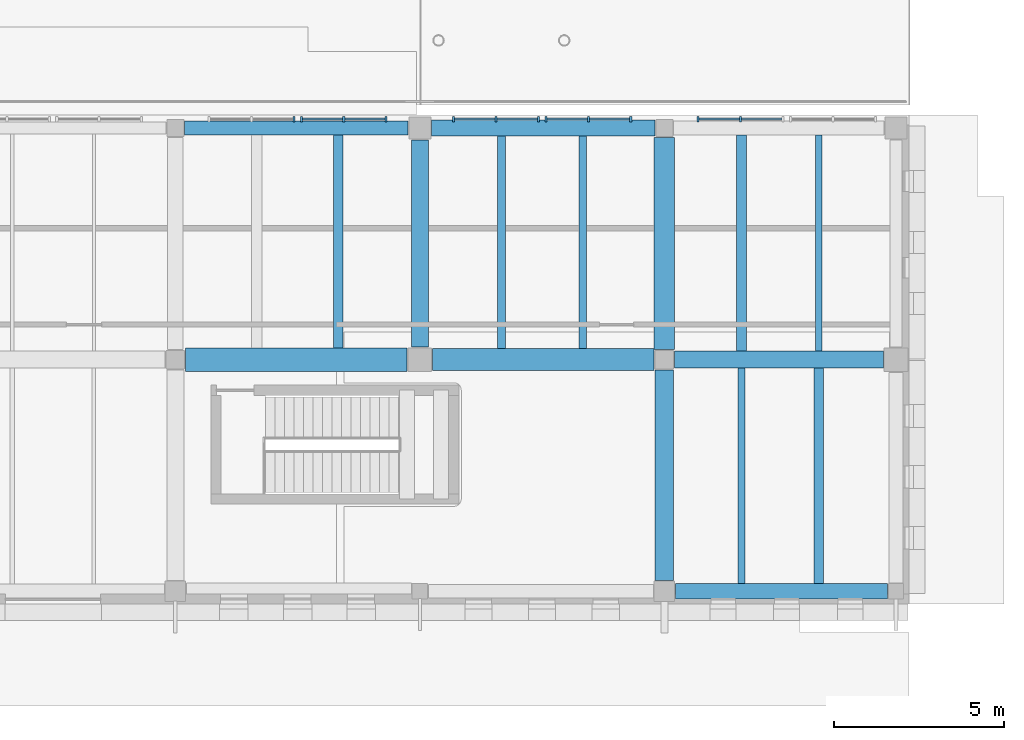
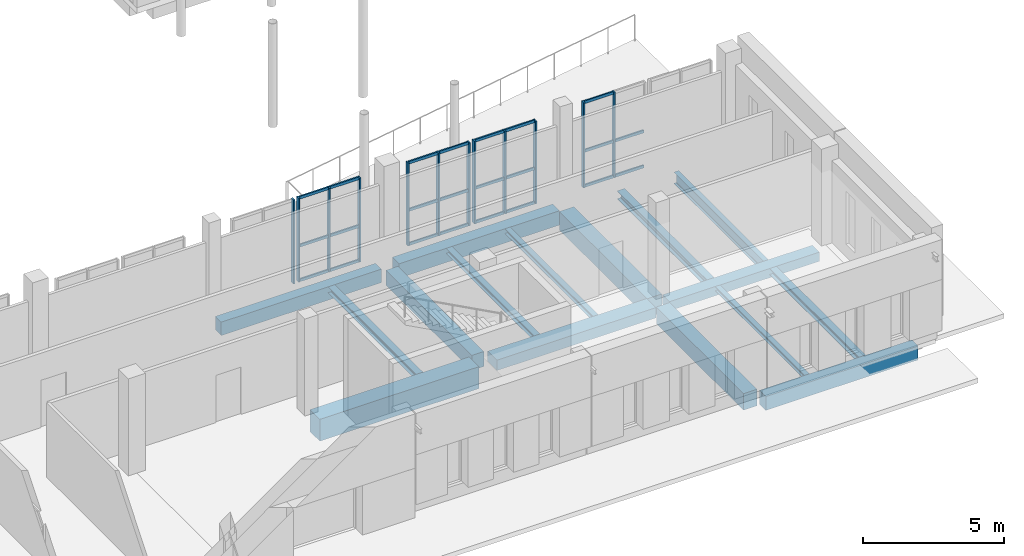
# One storey, part 29 of 77: 35 members, 16 beams, 5 elements without a shape of their own.
"""IFC4 building model written with IfcOpenShell, lengths in metres."""

from ifc_helpers import new_model, si_unit, direction, frame, origin, origin_2d, place, context, subcontext, project, spatial, rectangle, i_section, extrude, material, layer, layer_set, material_profile, profile_set, type_object, element, aggregate, save


model = new_model("IFC4")

# Units and contexts
model_context = context("Model", 3, precision=1e-05, world=origin(), true_north=direction((0.0, 1.0)))
body_context = subcontext(model_context, "Body", "Model", "MODEL_VIEW")
ifc_project = project(units=[si_unit("LENGTHUNIT", "METRE"), si_unit("AREAUNIT", "SQUARE_METRE"), si_unit("VOLUMEUNIT", "CUBIC_METRE"), si_unit("PLANEANGLEUNIT", "RADIAN"), si_unit("MASSUNIT", "GRAM", prefix="KILO")], contexts=[model_context])

# Site, building, storey
site_placement = place(None, origin())
site = spatial("IfcSite", under=ifc_project, at=site_placement, CompositionType="ELEMENT")
building_placement = place(site_placement, origin())
building = spatial("IfcBuilding", under=site, at=building_placement, Name="Vardoun Plaza Health Centre", CompositionType="ELEMENT")
storey_placement = place(building_placement, origin())
storey = spatial("IfcBuildingStorey", under=building, at=storey_placement, Name="L00", CompositionType="ELEMENT", Elevation=0.0)

# Beams
ifc_material_1 = material(Name="Concrete C35/45", Category="concrete")
ifc_material_profile_1 = material_profile(ifc_material_1, rectangle(XDim=0.419921875, YDim=0.580078125, at=origin_2d()), Name="RC-BM 420x580")
ifc_profile_set_1 = profile_set([ifc_material_profile_1], Name="Concrete C35/45")
beam_type_1 = type_object("IfcBeamType", Name="B-10", PredefinedType="SPANDREL", material=ifc_profile_set_1)
beam_1_placement = place(storey_placement, frame((143.97509765625, 18.52001953125, -0.5849609375), z_axis=(1.0, 0.0, 0.0), x_axis=(0.0, 1.0, 0.0)))
element("IfcBeam", 1, at=beam_1_placement, inside=storey, type_object=beam_type_1, Name="V5 L00 Beam B-V5-L00-X18", PredefinedType="SPANDREL", context=body_context, shape_type="SweptSolid", body=[
    extrude(rectangle(XDim=0.419921875, YDim=0.580078125, at=origin_2d()), origin(), (0.0, 0.0, 1.0), 6.574951171875),
])
ifc_material_2 = material(Name="Concrete C35/45", Category="concrete")
ifc_material_profile_2 = material_profile(ifc_material_2, rectangle(XDim=0.449951171875, YDim=0.60009765625, at=origin_2d()), Name="RC-BM 450x600")
ifc_profile_set_2 = profile_set([ifc_material_profile_2], Name="Concrete C35/45")
beam_type_2 = type_object("IfcBeamType", Name="B-11", PredefinedType="SPANDREL", material=ifc_profile_set_2)
beam_2_placement = place(storey_placement, frame((158.425048828125, 4.8798828125, -0.594970703125), z_axis=(1.0, 0.0, 0.0), x_axis=(0.0, 1.0, 0.0)))
element("IfcBeam", 2, at=beam_2_placement, inside=storey, type_object=beam_type_2, Name="V5 L00 Beam B-V5-L00-X22", PredefinedType="SPANDREL", context=body_context, shape_type="SweptSolid", body=[
    extrude(rectangle(XDim=0.449951171875, YDim=0.60009765625, at=origin_2d()), origin(), (0.0, 0.0, 1.0), 6.244873046875),
])
ifc_material_3 = material(Name="Concrete C35/45", Category="concrete")
ifc_material_profile_3 = material_profile(ifc_material_3, rectangle(XDim=0.47998046875, YDim=0.6201171875, at=origin_2d()), Name="RC-BM 480x620")
ifc_profile_set_3 = profile_set([ifc_material_profile_3], Name="Concrete C35/45")
beam_type_3 = type_object("IfcBeamType", Name="B-12", PredefinedType="SPANDREL", material=ifc_profile_set_3)
beam_3_placement = place(storey_placement, frame((151.25, 18.52001953125, -0.60498046875), z_axis=(1.0, 0.0, 0.0), x_axis=(0.0, 1.0, 0.0)))
element("IfcBeam", 3, at=beam_3_placement, inside=storey, type_object=beam_type_3, Name="V5 L00 Beam B-V5-L00-X21", PredefinedType="SPANDREL", context=body_context, shape_type="SweptSolid", body=[
    extrude(rectangle(XDim=0.47998046875, YDim=0.6201171875, at=origin_2d()), origin(), (0.0, 0.0, 1.0), 6.574951171875),
])
ifc_material_4 = material(Name="Concrete C35/45", Category="concrete")
ifc_material_profile_4 = material_profile(ifc_material_4, rectangle(XDim=0.5, YDim=0.39990234375, at=origin_2d()), Name="RC-BM 500x400")
ifc_profile_set_4 = profile_set([ifc_material_profile_4], Name="Concrete C35/45")
beam_type_4 = type_object("IfcBeamType", Name="B-02", PredefinedType="BEAM", material=ifc_profile_set_4)
beam_4_placement = place(storey_placement, frame((158.39990234375, 11.699951171875, -0.4951171875), z_axis=(1.0, 0.0, 0.0), x_axis=(0.0, 1.0, 0.0)))
element("IfcBeam", 4, at=beam_4_placement, inside=storey, type_object=beam_type_4, Name="V5 L00 Beam B-V5-L00-X23", PredefinedType="BEAM", context=body_context, shape_type="SweptSolid", body=[
    extrude(rectangle(XDim=0.5, YDim=0.39990234375, at=origin_2d()), origin(), (0.0, 0.0, 1.0), 6.14501953125),
])
ifc_material_5 = material(Name="Concrete C40/50", Category="concrete")
ifc_material_profile_5 = material_profile(ifc_material_5, rectangle(XDim=0.5, YDim=0.64990234375, at=origin_2d()), Name="RC-BM 500x650")
ifc_profile_set_5 = profile_set([ifc_material_profile_5], Name="Concrete C40/50")
beam_type_5 = type_object("IfcBeamType", Name="B-13", PredefinedType="BEAM", material=ifc_profile_set_5)
beam_5_placement = place(storey_placement, frame((150.89990234375, 12.074951171875, -0.6201171875), z_axis=(0.0, 1.0, 0.0), x_axis=(-1.0, 0.0, 0.0)))
element("IfcBeam", 5, at=beam_5_placement, inside=storey, type_object=beam_type_5, Name="V5 L00 Beam B-V5-L00-Y36", PredefinedType="BEAM", context=body_context, shape_type="SweptSolid", body=[
    extrude(rectangle(XDim=0.5, YDim=0.64990234375, at=origin_2d()), origin(), (0.0, 0.0, 1.0), 6.094970703125),
])
ifc_material_6 = material(Name="Concrete C40/50", Category="concrete")
ifc_material_profile_6 = material_profile(ifc_material_6, rectangle(XDim=0.550048828125, YDim=0.719970703125, at=origin_2d()), Name="RC-BM 550x720")
ifc_profile_set_6 = profile_set([ifc_material_profile_6], Name="Concrete C40/50")
beam_type_6 = type_object("IfcBeamType", Name="B-14", PredefinedType="BEAM", material=ifc_profile_set_6)
beam_6_placement = place(storey_placement, frame((158.10009765625, 5.205078125, -0.655029296875), z_axis=(0.0, 1.0, 0.0), x_axis=(-1.0, 0.0, 0.0)))
element("IfcBeam", 6, at=beam_6_placement, inside=storey, type_object=beam_type_6, Name="V5 L00 Beam B-V5-L00-Y37", PredefinedType="BEAM", context=body_context, shape_type="SweptSolid", body=[
    extrude(rectangle(XDim=0.550048828125, YDim=0.719970703125, at=origin_2d()), origin(), (0.0, 0.0, 1.0), 6.19482421875),
])
ifc_material_7 = material(Name="Concrete C40/50", Category="concrete")
ifc_material_profile_7 = material_profile(ifc_material_7, rectangle(XDim=0.60009765625, YDim=0.800048828125, at=origin_2d()), Name="RC-BM 600x800")
ifc_profile_set_7 = profile_set([ifc_material_profile_7], Name="Concrete C40/50")
beam_type_7 = type_object("IfcBeamType", Name="B-15", PredefinedType="JOIST", material=ifc_profile_set_7)
beam_7_placement = place(storey_placement, frame((158.10009765625, 12.0, -0.695068359375), z_axis=(0.0, 1.0, 0.0), x_axis=(-1.0, 0.0, 0.0)))
element("IfcBeam", 7, at=beam_7_placement, inside=storey, type_object=beam_type_7, Name="V5 L00 Beam B-V5-L00-Y38", PredefinedType="JOIST", context=body_context, shape_type="SweptSolid", body=[
    extrude(rectangle(XDim=0.60009765625, YDim=0.800048828125, at=origin_2d()), origin(), (0.0, 0.0, 1.0), 6.2451171875),
])
ifc_material_8 = material(Name="Concrete C35/45", Category="concrete")
ifc_material_profile_8 = material_profile(ifc_material_8, rectangle(XDim=0.64990234375, YDim=0.449951171875, at=origin_2d()), Name="RC-BM 650x450")
ifc_profile_set_8 = profile_set([ifc_material_profile_8], Name="Concrete C35/45")
beam_type_8 = type_object("IfcBeamType", Name="B-05", PredefinedType="BEAM", material=ifc_profile_set_8)
beam_8_placement = place(storey_placement, frame((151.27490234375, 11.699951171875, -0.52001953125), z_axis=(1.0, 0.0, 0.0), x_axis=(0.0, 1.0, 0.0)))
element("IfcBeam", 8, at=beam_8_placement, inside=storey, type_object=beam_type_8, Name="V5 L00 Beam B-V5-L00-X20", PredefinedType="BEAM", context=body_context, shape_type="SweptSolid", body=[
    extrude(rectangle(XDim=0.64990234375, YDim=0.449951171875, at=origin_2d()), origin(), (0.0, 0.0, 1.0), 6.525146484375),
])
ifc_material_9 = material(Name="Concrete C40/50", Category="concrete")
ifc_material_profile_9 = material_profile(ifc_material_9, rectangle(XDim=0.699951171875, YDim=0.949951171875, at=origin_2d()), Name="RC-BM 700x950")
ifc_profile_set_9 = profile_set([ifc_material_profile_9], Name="Concrete C40/50")
beam_type_9 = type_object("IfcBeamType", Name="B-16", PredefinedType="LINTEL", material=ifc_profile_set_9)
beam_9_placement = place(storey_placement, frame((144.0, 11.699951171875, -0.77001953125), z_axis=(1.0, 0.0, 0.0), x_axis=(0.0, 1.0, 0.0)))
element("IfcBeam", 9, at=beam_9_placement, inside=storey, type_object=beam_type_9, Name="V5 L00 Beam B-V5-L00-X17", PredefinedType="LINTEL", context=body_context, shape_type="SweptSolid", body=[
    extrude(rectangle(XDim=0.699951171875, YDim=0.949951171875, at=origin_2d()), origin(), (0.0, 0.0, 1.0), 6.52490234375),
])
ifc_material_10 = material(Name="Steel S355J2", Category="steel")
ifc_material_profile_10 = material_profile(ifc_material_10, i_section(OverallWidth=0.199951171875, OverallDepth=0.18994140625, WebThickness=0.006591796875, FlangeThickness=0.010009765625, FilletRadius=0.01806640625, at=origin_2d()), Name="HEA 200")
ifc_profile_set_10 = profile_set([ifc_material_profile_10], Name="Steel S355J2")
beam_type_10 = type_object("IfcBeamType", Name="SB-09", PredefinedType="BEAM", material=ifc_profile_set_10)
beam_10_placement = place(storey_placement, frame((160.373046875, 5.10498046875, -0.389892578125), z_axis=(0.0, 1.0, 0.0), x_axis=(-1.0, 0.0, 0.0)))
element("IfcBeam", 10, at=beam_10_placement, inside=storey, type_object=beam_type_10, Name="V5 L00 Secondary Floor Beam SJ-V5-L00-21", PredefinedType="BEAM", context=body_context, shape_type="SweptSolid", body=[
    extrude(i_section(OverallWidth=0.199951171875, OverallDepth=0.18994140625, WebThickness=0.006591796875, FlangeThickness=0.010009765625, FilletRadius=0.01806640625, at=origin_2d()), origin(), (0.0, 0.0, 1.0), 6.344970703125),
])
ifc_material_11 = material(Name="Steel S355J2", Category="steel")
ifc_material_profile_11 = material_profile(ifc_material_11, i_section(OverallWidth=0.219970703125, OverallDepth=0.2099609375, WebThickness=0.007080078125, FlangeThickness=0.010986328125, FilletRadius=0.01806640625, at=origin_2d()), Name="HEA 220")
ifc_profile_set_11 = profile_set([ifc_material_profile_11], Name="Steel S355J2")
beam_type_11 = type_object("IfcBeamType", Name="SB-08", PredefinedType="BEAM", material=ifc_profile_set_11)
beam_11_placement = place(storey_placement, frame((155.7001953125, 12.02490234375, -0.39990234375), z_axis=(0.0, 1.0, 0.0), x_axis=(-1.0, 0.0, 0.0)))
element("IfcBeam", 11, at=beam_11_placement, inside=storey, type_object=beam_type_11, Name="V5 L00 Secondary Floor Beam SJ-V5-L00-20", PredefinedType="BEAM", context=body_context, shape_type="SweptSolid", body=[
    extrude(i_section(OverallWidth=0.219970703125, OverallDepth=0.2099609375, WebThickness=0.007080078125, FlangeThickness=0.010986328125, FilletRadius=0.01806640625, at=origin_2d()), origin(), (0.0, 0.0, 1.0), 6.255126953125),
])
ifc_material_12 = material(Name="Steel S355J2", Category="steel")
ifc_material_profile_12 = material_profile(ifc_material_12, i_section(OverallWidth=0.239990234375, OverallDepth=0.22998046875, WebThickness=0.007568359375, FlangeThickness=0.011962890625, FilletRadius=0.02099609375, at=origin_2d()), Name="HEA 240")
ifc_profile_set_12 = profile_set([ifc_material_profile_12], Name="Steel S355J2")
beam_type_12 = type_object("IfcBeamType", Name="SB-07", PredefinedType="BEAM", material=ifc_profile_set_12)
beam_12_placement = place(storey_placement, frame((153.2998046875, 12.02490234375, -0.409912109375), z_axis=(0.0, 1.0, 0.0), x_axis=(-1.0, 0.0, 0.0)))
element("IfcBeam", 12, at=beam_12_placement, inside=storey, type_object=beam_type_12, Name="V5 L00 Secondary Floor Beam SJ-V5-L00-19", PredefinedType="BEAM", context=body_context, shape_type="SweptSolid", body=[
    extrude(i_section(OverallWidth=0.239990234375, OverallDepth=0.22998046875, WebThickness=0.007568359375, FlangeThickness=0.011962890625, FilletRadius=0.02099609375, at=origin_2d()), origin(), (0.0, 0.0, 1.0), 6.255126953125),
])
ifc_material_13 = material(Name="Steel S355J2", Category="steel")
ifc_material_profile_13 = material_profile(ifc_material_13, i_section(OverallWidth=0.280029296875, OverallDepth=0.27001953125, WebThickness=0.008056640625, FlangeThickness=0.012939453125, FilletRadius=0.02392578125, at=origin_2d()), Name="HEA 280")
ifc_profile_set_13 = profile_set([ifc_material_profile_13], Name="Steel S355J2")
beam_type_13 = type_object("IfcBeamType", Name="SB-06", PredefinedType="BEAM", material=ifc_profile_set_13)
beam_13_placement = place(storey_placement, frame((148.500244140625, 12.050048828125, -0.429931640625), z_axis=(0.0, 1.0, 0.0), x_axis=(-1.0, 0.0, 0.0)))
element("IfcBeam", 13, at=beam_13_placement, inside=storey, type_object=beam_type_13, Name="V5 L00 Secondary Floor Beam SJ-V5-L00-18", PredefinedType="BEAM", context=body_context, shape_type="SweptSolid", body=[
    extrude(i_section(OverallWidth=0.280029296875, OverallDepth=0.27001953125, WebThickness=0.008056640625, FlangeThickness=0.012939453125, FilletRadius=0.02392578125, at=origin_2d()), origin(), (0.0, 0.0, 1.0), 6.260009765625),
])
ifc_material_14 = material(Name="Steel S355J2", Category="steel")
ifc_material_profile_14 = material_profile(ifc_material_14, i_section(OverallWidth=0.280029296875, OverallDepth=0.280029296875, WebThickness=0.010498046875, FlangeThickness=0.01806640625, FilletRadius=0.02392578125, at=origin_2d()), Name="HEB 280")
ifc_profile_set_14 = profile_set([ifc_material_profile_14], Name="Steel S355J2")
beam_type_14 = type_object("IfcBeamType", Name="SB-02", PredefinedType="BEAM", material=ifc_profile_set_14)
beam_14_placement = place(storey_placement, frame((162.64697265625, 5.10498046875, -0.43505859375), z_axis=(0.0, 1.0, 0.0), x_axis=(-1.0, 0.0, 0.0)))
element("IfcBeam", 14, at=beam_14_placement, inside=storey, type_object=beam_type_14, Name="V5 L00 Secondary Floor Beam SJ-V5-L00-23", PredefinedType="BEAM", context=body_context, shape_type="SweptSolid", body=[
    extrude(i_section(OverallWidth=0.280029296875, OverallDepth=0.280029296875, WebThickness=0.010498046875, FlangeThickness=0.01806640625, FilletRadius=0.02392578125, at=origin_2d()), origin(), (0.0, 0.0, 1.0), 6.344970703125),
])
ifc_material_15 = material(Name="Steel S355J2", Category="steel")
ifc_material_profile_15 = material_profile(ifc_material_15, i_section(OverallWidth=0.300048828125, OverallDepth=0.360107421875, WebThickness=0.012451171875, FlangeThickness=0.0224609375, FilletRadius=0.027099609375, at=origin_2d()), Name="HEB 360")
ifc_profile_set_15 = profile_set([ifc_material_profile_15], Name="Steel S355J2")
beam_type_15 = type_object("IfcBeamType", Name="RB-04", PredefinedType="BEAM", material=ifc_profile_set_15)
beam_15_placement = place(storey_placement, frame((160.373046875, 11.949951171875, -0.47509765625), z_axis=(0.0, 1.0, 0.0), x_axis=(-1.0, 0.0, 0.0)))
element("IfcBeam", 15, at=beam_15_placement, inside=storey, type_object=beam_type_15, Name="V5 L00 Secondary Floor Beam SJ-V5-L00-22", PredefinedType="BEAM", context=body_context, shape_type="SweptSolid", body=[
    extrude(i_section(OverallWidth=0.300048828125, OverallDepth=0.360107421875, WebThickness=0.012451171875, FlangeThickness=0.0224609375, FilletRadius=0.027099609375, at=origin_2d()), origin(), (0.0, 0.0, 1.0), 6.3701171875),
])
ifc_material_16 = material(Name="Steel S355J2", Category="steel")
ifc_material_profile_16 = material_profile(ifc_material_16, i_section(OverallWidth=0.199951171875, OverallDepth=0.5, WebThickness=0.01025390625, FlangeThickness=0.01611328125, FilletRadius=0.02099609375, at=origin_2d()), Name="IPE 500")
ifc_profile_set_16 = profile_set([ifc_material_profile_16], Name="Steel S355J2")
beam_type_16 = type_object("IfcBeamType", Name="SB-10", PredefinedType="BEAM", material=ifc_profile_set_16)
beam_16_placement = place(storey_placement, frame((162.64697265625, 11.949951171875, -0.544921875), z_axis=(0.0, 1.0, 0.0), x_axis=(-1.0, 0.0, 0.0)))
element("IfcBeam", 16, at=beam_16_placement, inside=storey, type_object=beam_type_16, Name="V5 L00 Secondary Floor Beam SJ-V5-L00-24", PredefinedType="BEAM", context=body_context, shape_type="SweptSolid", body=[
    extrude(i_section(OverallWidth=0.199951171875, OverallDepth=0.5, WebThickness=0.01025390625, FlangeThickness=0.01611328125, FilletRadius=0.02099609375, at=origin_2d()), origin(), (0.0, 0.0, 1.0), 6.3701171875),
])

# Curtain wall, member
ifc_material_17 = material(Name="Aluminium Alloy EN AW-6063-T6 and Low-E Glass", Category="aluminium")
ifc_layer = layer(ifc_material_17, 0.14990234375)
ifc_layer_set = layer_set([ifc_layer], Name="Aluminium Alloy EN AW-6063-T6 and Low-E Glass")
curtain_wall_type = type_object("IfcCurtainWallType", Name="CW-03", PredefinedType="NOTDEFINED", material=ifc_layer_set)
curtain_wall_1_placement = place(storey_placement, origin())
curtain_wall_1 = element("IfcCurtainWall", 17, at=curtain_wall_1_placement, inside=storey, type_object=curtain_wall_type, Name="Curtain Wall CW-V5-143", PredefinedType="NOTDEFINED")
ifc_material_18 = material(Name="Aluminium Alloy EN AW-6063-T6", Category="aluminium")
ifc_material_profile_17 = material_profile(ifc_material_18, rectangle(XDim=0.159912109375, YDim=0.06005859375, at=origin_2d()), Name="CWM 60x160")
ifc_profile_set_17 = profile_set([ifc_material_profile_17], Name="Aluminium Alloy EN AW-6063-T6")
member_type_1 = type_object("IfcMemberType", Name="CW-M1", PredefinedType="MULLION", material=ifc_profile_set_17)
member_1_placement = place(storey_placement, frame((147.190185546875, 18.780029296875, 0.0), z_axis=(0.0, 0.0, 1.0), x_axis=(0.0, 1.0, 0.0)))
member_1 = element("IfcMember", 18, at=member_1_placement, type_object=member_type_1, Name="CW-V5-143 mullion 3", PredefinedType="MULLION", context=body_context, shape_type="SweptSolid", body=[
    extrude(rectangle(XDim=0.159912109375, YDim=0.06005859375, at=origin_2d()), origin(), (0.0, 0.0, 1.0), 3.639892578125),
])
aggregate(curtain_wall_1, [member_1])

# Curtain wall, members
curtain_wall_2_placement = place(storey_placement, origin())
curtain_wall_2 = element("IfcCurtainWall", 19, at=curtain_wall_2_placement, inside=storey, type_object=curtain_wall_type, Name="Curtain Wall CW-V5-144", PredefinedType="NOTDEFINED")
member_2_placement = place(storey_placement, frame((147.409912109375, 18.780029296875, 0.0), z_axis=(0.0, 0.0, 1.0), x_axis=(0.0, 1.0, 0.0)))
member_2 = element("IfcMember", 20, at=member_2_placement, type_object=member_type_1, Name="CW-V5-144 mullion 1", PredefinedType="MULLION", context=body_context, shape_type="SweptSolid", body=[
    extrude(rectangle(XDim=0.159912109375, YDim=0.06005859375, at=origin_2d()), origin(), (0.0, 0.0, 1.0), 3.639892578125),
])
member_3_placement = place(storey_placement, frame((148.659912109375, 18.780029296875, 0.0), z_axis=(0.0, 0.0, 1.0), x_axis=(0.0, 1.0, 0.0)))
member_3 = element("IfcMember", 21, at=member_3_placement, type_object=member_type_1, Name="CW-V5-144 mullion 2", PredefinedType="MULLION", context=body_context, shape_type="SweptSolid", body=[
    extrude(rectangle(XDim=0.159912109375, YDim=0.06005859375, at=origin_2d()), origin(), (0.0, 0.0, 1.0), 3.639892578125),
])
member_4_placement = place(storey_placement, frame((149.909912109375, 18.780029296875, 0.0), z_axis=(0.0, 0.0, 1.0), x_axis=(0.0, 1.0, 0.0)))
member_4 = element("IfcMember", 22, at=member_4_placement, type_object=member_type_1, Name="CW-V5-144 mullion 3", PredefinedType="MULLION", context=body_context, shape_type="SweptSolid", body=[
    extrude(rectangle(XDim=0.159912109375, YDim=0.06005859375, at=origin_2d()), origin(), (0.0, 0.0, 1.0), 3.639892578125),
])

curtain_wall_3_placement = place(storey_placement, origin())
curtain_wall_3 = element("IfcCurtainWall", 23, at=curtain_wall_3_placement, inside=storey, type_object=curtain_wall_type, Name="Curtain Wall CW-V5-145", PredefinedType="NOTDEFINED")
member_5_placement = place(storey_placement, frame((151.889892578125, 18.780029296875, 0.0), z_axis=(0.0, 0.0, 1.0), x_axis=(0.0, 1.0, 0.0)))
member_5 = element("IfcMember", 24, at=member_5_placement, type_object=member_type_1, Name="CW-V5-145 mullion 1", PredefinedType="MULLION", context=body_context, shape_type="SweptSolid", body=[
    extrude(rectangle(XDim=0.159912109375, YDim=0.06005859375, at=origin_2d()), origin(), (0.0, 0.0, 1.0), 3.590087890625),
])
member_6_placement = place(storey_placement, frame((153.139892578125, 18.780029296875, 0.0), z_axis=(0.0, 0.0, 1.0), x_axis=(0.0, 1.0, 0.0)))
member_6 = element("IfcMember", 25, at=member_6_placement, type_object=member_type_1, Name="CW-V5-145 mullion 2", PredefinedType="MULLION", context=body_context, shape_type="SweptSolid", body=[
    extrude(rectangle(XDim=0.159912109375, YDim=0.06005859375, at=origin_2d()), origin(), (0.0, 0.0, 1.0), 3.590087890625),
])
member_7_placement = place(storey_placement, frame((154.389892578125, 18.780029296875, 0.0), z_axis=(0.0, 0.0, 1.0), x_axis=(0.0, 1.0, 0.0)))
member_7 = element("IfcMember", 26, at=member_7_placement, type_object=member_type_1, Name="CW-V5-145 mullion 3", PredefinedType="MULLION", context=body_context, shape_type="SweptSolid", body=[
    extrude(rectangle(XDim=0.159912109375, YDim=0.06005859375, at=origin_2d()), origin(), (0.0, 0.0, 1.0), 3.590087890625),
])

curtain_wall_4_placement = place(storey_placement, origin())
curtain_wall_4 = element("IfcCurtainWall", 27, at=curtain_wall_4_placement, inside=storey, type_object=curtain_wall_type, Name="Curtain Wall CW-V5-146", PredefinedType="NOTDEFINED")
member_8_placement = place(storey_placement, frame((154.610107421875, 18.780029296875, 0.0), z_axis=(0.0, 0.0, 1.0), x_axis=(0.0, 1.0, 0.0)))
member_8 = element("IfcMember", 28, at=member_8_placement, type_object=member_type_1, Name="CW-V5-146 mullion 1", PredefinedType="MULLION", context=body_context, shape_type="SweptSolid", body=[
    extrude(rectangle(XDim=0.159912109375, YDim=0.06005859375, at=origin_2d()), origin(), (0.0, 0.0, 1.0), 3.590087890625),
])
member_9_placement = place(storey_placement, frame((155.860107421875, 18.780029296875, 0.0), z_axis=(0.0, 0.0, 1.0), x_axis=(0.0, 1.0, 0.0)))
member_9 = element("IfcMember", 29, at=member_9_placement, type_object=member_type_1, Name="CW-V5-146 mullion 2", PredefinedType="MULLION", context=body_context, shape_type="SweptSolid", body=[
    extrude(rectangle(XDim=0.159912109375, YDim=0.06005859375, at=origin_2d()), origin(), (0.0, 0.0, 1.0), 3.590087890625),
])
member_10_placement = place(storey_placement, frame((157.110107421875, 18.780029296875, 0.0), z_axis=(0.0, 0.0, 1.0), x_axis=(0.0, 1.0, 0.0)))
member_10 = element("IfcMember", 30, at=member_10_placement, type_object=member_type_1, Name="CW-V5-146 mullion 3", PredefinedType="MULLION", context=body_context, shape_type="SweptSolid", body=[
    extrude(rectangle(XDim=0.159912109375, YDim=0.06005859375, at=origin_2d()), origin(), (0.0, 0.0, 1.0), 3.590087890625),
])

curtain_wall_5_placement = place(storey_placement, origin())
curtain_wall_5 = element("IfcCurtainWall", 31, at=curtain_wall_5_placement, inside=storey, type_object=curtain_wall_type, Name="Curtain Wall CW-V5-147", PredefinedType="NOTDEFINED")
member_11_placement = place(storey_placement, frame((159.090087890625, 18.780029296875, 0.0), z_axis=(0.0, 0.0, 1.0), x_axis=(0.0, 1.0, 0.0)))
member_11 = element("IfcMember", 32, at=member_11_placement, type_object=member_type_1, Name="CW-V5-147 mullion 1", PredefinedType="MULLION", context=body_context, shape_type="SweptSolid", body=[
    extrude(rectangle(XDim=0.159912109375, YDim=0.06005859375, at=origin_2d()), origin(), (0.0, 0.0, 1.0), 3.68994140625),
])
member_12_placement = place(storey_placement, frame((160.340087890625, 18.780029296875, 0.0), z_axis=(0.0, 0.0, 1.0), x_axis=(0.0, 1.0, 0.0)))
member_12 = element("IfcMember", 33, at=member_12_placement, type_object=member_type_1, Name="CW-V5-147 mullion 2", PredefinedType="MULLION", context=body_context, shape_type="SweptSolid", body=[
    extrude(rectangle(XDim=0.159912109375, YDim=0.06005859375, at=origin_2d()), origin(), (0.0, 0.0, 1.0), 3.68994140625),
])

# Member
ifc_material_19 = material(Name="Aluminium Alloy EN AW-6063-T6", Category="aluminium")
ifc_material_profile_18 = material_profile(ifc_material_19, rectangle(XDim=0.06005859375, YDim=0.1201171875, at=origin_2d()), Name="CWT 60x120")
ifc_profile_set_18 = profile_set([ifc_material_profile_18], Name="Aluminium Alloy EN AW-6063-T6")
member_type_2 = type_object("IfcMemberType", Name="CW-T1", PredefinedType="USERDEFINED", material=ifc_profile_set_18)
member_13_placement = place(storey_placement, frame((147.440185546875, 18.780029296875, 0.030029296875), z_axis=(1.0, 0.0, 0.0), x_axis=(0.0, 1.0, 0.0)))
member_13 = element("IfcMember", 34, at=member_13_placement, type_object=member_type_2, Name="CW-V5-144 transom 1.1", ObjectType="TRANSOM", PredefinedType="USERDEFINED", context=body_context, shape_type="SweptSolid", body=[
    extrude(rectangle(XDim=0.06005859375, YDim=0.1201171875, at=origin_2d()), origin(), (0.0, 0.0, 1.0), 1.189697265625),
])

member_14_placement = place(storey_placement, frame((147.440185546875, 18.780029296875, 1.52880859375), z_axis=(1.0, 0.0, 0.0), x_axis=(0.0, 1.0, 0.0)))
member_14 = element("IfcMember", 35, at=member_14_placement, type_object=member_type_2, Name="CW-V5-144 transom 1.2", ObjectType="TRANSOM", PredefinedType="USERDEFINED", context=body_context, shape_type="SweptSolid", body=[
    extrude(rectangle(XDim=0.06005859375, YDim=0.1201171875, at=origin_2d()), origin(), (0.0, 0.0, 1.0), 1.189697265625),
])

member_15_placement = place(storey_placement, frame((147.440185546875, 18.780029296875, 3.610107421875), z_axis=(1.0, 0.0, 0.0), x_axis=(0.0, 1.0, 0.0)))
member_15 = element("IfcMember", 36, at=member_15_placement, type_object=member_type_2, Name="CW-V5-144 transom 1.3", ObjectType="TRANSOM", PredefinedType="USERDEFINED", context=body_context, shape_type="SweptSolid", body=[
    extrude(rectangle(XDim=0.06005859375, YDim=0.1201171875, at=origin_2d()), origin(), (0.0, 0.0, 1.0), 1.189697265625),
])

member_16_placement = place(storey_placement, frame((148.690185546875, 18.780029296875, 0.030029296875), z_axis=(1.0, 0.0, 0.0), x_axis=(0.0, 1.0, 0.0)))
member_16 = element("IfcMember", 37, at=member_16_placement, type_object=member_type_2, Name="CW-V5-144 transom 2.1", ObjectType="TRANSOM", PredefinedType="USERDEFINED", context=body_context, shape_type="SweptSolid", body=[
    extrude(rectangle(XDim=0.06005859375, YDim=0.1201171875, at=origin_2d()), origin(), (0.0, 0.0, 1.0), 1.189697265625),
])

member_17_placement = place(storey_placement, frame((148.690185546875, 18.780029296875, 1.52880859375), z_axis=(1.0, 0.0, 0.0), x_axis=(0.0, 1.0, 0.0)))
member_17 = element("IfcMember", 38, at=member_17_placement, type_object=member_type_2, Name="CW-V5-144 transom 2.2", ObjectType="TRANSOM", PredefinedType="USERDEFINED", context=body_context, shape_type="SweptSolid", body=[
    extrude(rectangle(XDim=0.06005859375, YDim=0.1201171875, at=origin_2d()), origin(), (0.0, 0.0, 1.0), 1.189697265625),
])

member_18_placement = place(storey_placement, frame((148.690185546875, 18.780029296875, 3.610107421875), z_axis=(1.0, 0.0, 0.0), x_axis=(0.0, 1.0, 0.0)))
member_18 = element("IfcMember", 39, at=member_18_placement, type_object=member_type_2, Name="CW-V5-144 transom 2.3", ObjectType="TRANSOM", PredefinedType="USERDEFINED", context=body_context, shape_type="SweptSolid", body=[
    extrude(rectangle(XDim=0.06005859375, YDim=0.1201171875, at=origin_2d()), origin(), (0.0, 0.0, 1.0), 1.189697265625),
])

aggregate(curtain_wall_2, [member_2, member_3, member_4, member_13, member_14, member_15, member_16, member_17, member_18])

member_19_placement = place(storey_placement, frame((151.919921875, 18.780029296875, 0.030029296875), z_axis=(1.0, 0.0, 0.0), x_axis=(0.0, 1.0, 0.0)))
member_19 = element("IfcMember", 40, at=member_19_placement, type_object=member_type_2, Name="CW-V5-145 transom 1.1", ObjectType="TRANSOM", PredefinedType="USERDEFINED", context=body_context, shape_type="SweptSolid", body=[
    extrude(rectangle(XDim=0.06005859375, YDim=0.1201171875, at=origin_2d()), origin(), (0.0, 0.0, 1.0), 1.190185546875),
])

member_20_placement = place(storey_placement, frame((151.919921875, 18.780029296875, 1.5078125), z_axis=(1.0, 0.0, 0.0), x_axis=(0.0, 1.0, 0.0)))
member_20 = element("IfcMember", 41, at=member_20_placement, type_object=member_type_2, Name="CW-V5-145 transom 1.2", ObjectType="TRANSOM", PredefinedType="USERDEFINED", context=body_context, shape_type="SweptSolid", body=[
    extrude(rectangle(XDim=0.06005859375, YDim=0.1201171875, at=origin_2d()), origin(), (0.0, 0.0, 1.0), 1.190185546875),
])

member_21_placement = place(storey_placement, frame((151.919921875, 18.780029296875, 3.56005859375), z_axis=(1.0, 0.0, 0.0), x_axis=(0.0, 1.0, 0.0)))
member_21 = element("IfcMember", 42, at=member_21_placement, type_object=member_type_2, Name="CW-V5-145 transom 1.3", ObjectType="TRANSOM", PredefinedType="USERDEFINED", context=body_context, shape_type="SweptSolid", body=[
    extrude(rectangle(XDim=0.06005859375, YDim=0.1201171875, at=origin_2d()), origin(), (0.0, 0.0, 1.0), 1.190185546875),
])

member_22_placement = place(storey_placement, frame((153.169921875, 18.780029296875, 0.030029296875), z_axis=(1.0, 0.0, 0.0), x_axis=(0.0, 1.0, 0.0)))
member_22 = element("IfcMember", 43, at=member_22_placement, type_object=member_type_2, Name="CW-V5-145 transom 2.1", ObjectType="TRANSOM", PredefinedType="USERDEFINED", context=body_context, shape_type="SweptSolid", body=[
    extrude(rectangle(XDim=0.06005859375, YDim=0.1201171875, at=origin_2d()), origin(), (0.0, 0.0, 1.0), 1.190185546875),
])

member_23_placement = place(storey_placement, frame((153.169921875, 18.780029296875, 1.5078125), z_axis=(1.0, 0.0, 0.0), x_axis=(0.0, 1.0, 0.0)))
member_23 = element("IfcMember", 44, at=member_23_placement, type_object=member_type_2, Name="CW-V5-145 transom 2.2", ObjectType="TRANSOM", PredefinedType="USERDEFINED", context=body_context, shape_type="SweptSolid", body=[
    extrude(rectangle(XDim=0.06005859375, YDim=0.1201171875, at=origin_2d()), origin(), (0.0, 0.0, 1.0), 1.190185546875),
])

member_24_placement = place(storey_placement, frame((153.169921875, 18.780029296875, 3.56005859375), z_axis=(1.0, 0.0, 0.0), x_axis=(0.0, 1.0, 0.0)))
member_24 = element("IfcMember", 45, at=member_24_placement, type_object=member_type_2, Name="CW-V5-145 transom 2.3", ObjectType="TRANSOM", PredefinedType="USERDEFINED", context=body_context, shape_type="SweptSolid", body=[
    extrude(rectangle(XDim=0.06005859375, YDim=0.1201171875, at=origin_2d()), origin(), (0.0, 0.0, 1.0), 1.190185546875),
])

aggregate(curtain_wall_3, [member_5, member_6, member_7, member_19, member_20, member_21, member_22, member_23, member_24])

member_25_placement = place(storey_placement, frame((154.639892578125, 18.780029296875, 0.030029296875), z_axis=(1.0, 0.0, 0.0), x_axis=(0.0, 1.0, 0.0)))
member_25 = element("IfcMember", 46, at=member_25_placement, type_object=member_type_2, Name="CW-V5-146 transom 1.1", ObjectType="TRANSOM", PredefinedType="USERDEFINED", context=body_context, shape_type="SweptSolid", body=[
    extrude(rectangle(XDim=0.06005859375, YDim=0.1201171875, at=origin_2d()), origin(), (0.0, 0.0, 1.0), 1.190185546875),
])

member_26_placement = place(storey_placement, frame((154.639892578125, 18.780029296875, 1.5078125), z_axis=(1.0, 0.0, 0.0), x_axis=(0.0, 1.0, 0.0)))
member_26 = element("IfcMember", 47, at=member_26_placement, type_object=member_type_2, Name="CW-V5-146 transom 1.2", ObjectType="TRANSOM", PredefinedType="USERDEFINED", context=body_context, shape_type="SweptSolid", body=[
    extrude(rectangle(XDim=0.06005859375, YDim=0.1201171875, at=origin_2d()), origin(), (0.0, 0.0, 1.0), 1.190185546875),
])

member_27_placement = place(storey_placement, frame((154.639892578125, 18.780029296875, 3.56005859375), z_axis=(1.0, 0.0, 0.0), x_axis=(0.0, 1.0, 0.0)))
member_27 = element("IfcMember", 48, at=member_27_placement, type_object=member_type_2, Name="CW-V5-146 transom 1.3", ObjectType="TRANSOM", PredefinedType="USERDEFINED", context=body_context, shape_type="SweptSolid", body=[
    extrude(rectangle(XDim=0.06005859375, YDim=0.1201171875, at=origin_2d()), origin(), (0.0, 0.0, 1.0), 1.190185546875),
])

member_28_placement = place(storey_placement, frame((155.889892578125, 18.780029296875, 0.030029296875), z_axis=(1.0, 0.0, 0.0), x_axis=(0.0, 1.0, 0.0)))
member_28 = element("IfcMember", 49, at=member_28_placement, type_object=member_type_2, Name="CW-V5-146 transom 2.1", ObjectType="TRANSOM", PredefinedType="USERDEFINED", context=body_context, shape_type="SweptSolid", body=[
    extrude(rectangle(XDim=0.06005859375, YDim=0.1201171875, at=origin_2d()), origin(), (0.0, 0.0, 1.0), 1.190185546875),
])

member_29_placement = place(storey_placement, frame((155.889892578125, 18.780029296875, 1.5078125), z_axis=(1.0, 0.0, 0.0), x_axis=(0.0, 1.0, 0.0)))
member_29 = element("IfcMember", 50, at=member_29_placement, type_object=member_type_2, Name="CW-V5-146 transom 2.2", ObjectType="TRANSOM", PredefinedType="USERDEFINED", context=body_context, shape_type="SweptSolid", body=[
    extrude(rectangle(XDim=0.06005859375, YDim=0.1201171875, at=origin_2d()), origin(), (0.0, 0.0, 1.0), 1.190185546875),
])

member_30_placement = place(storey_placement, frame((155.889892578125, 18.780029296875, 3.56005859375), z_axis=(1.0, 0.0, 0.0), x_axis=(0.0, 1.0, 0.0)))
member_30 = element("IfcMember", 51, at=member_30_placement, type_object=member_type_2, Name="CW-V5-146 transom 2.3", ObjectType="TRANSOM", PredefinedType="USERDEFINED", context=body_context, shape_type="SweptSolid", body=[
    extrude(rectangle(XDim=0.06005859375, YDim=0.1201171875, at=origin_2d()), origin(), (0.0, 0.0, 1.0), 1.190185546875),
])

aggregate(curtain_wall_4, [member_8, member_9, member_10, member_25, member_26, member_27, member_28, member_29, member_30])

member_31_placement = place(storey_placement, frame((159.1201171875, 18.780029296875, 0.030029296875), z_axis=(1.0, 0.0, 0.0), x_axis=(0.0, 1.0, 0.0)))
member_31 = element("IfcMember", 52, at=member_31_placement, type_object=member_type_2, Name="CW-V5-147 transom 1.1", ObjectType="TRANSOM", PredefinedType="USERDEFINED", context=body_context, shape_type="SweptSolid", body=[
    extrude(rectangle(XDim=0.06005859375, YDim=0.1201171875, at=origin_2d()), origin(), (0.0, 0.0, 1.0), 1.18994140625),
])

member_32_placement = place(storey_placement, frame((159.1201171875, 18.780029296875, 1.5498046875), z_axis=(1.0, 0.0, 0.0), x_axis=(0.0, 1.0, 0.0)))
member_32 = element("IfcMember", 53, at=member_32_placement, type_object=member_type_2, Name="CW-V5-147 transom 1.2", ObjectType="TRANSOM", PredefinedType="USERDEFINED", context=body_context, shape_type="SweptSolid", body=[
    extrude(rectangle(XDim=0.06005859375, YDim=0.1201171875, at=origin_2d()), origin(), (0.0, 0.0, 1.0), 1.18994140625),
])

member_33_placement = place(storey_placement, frame((159.1201171875, 18.780029296875, 3.659912109375), z_axis=(1.0, 0.0, 0.0), x_axis=(0.0, 1.0, 0.0)))
member_33 = element("IfcMember", 54, at=member_33_placement, type_object=member_type_2, Name="CW-V5-147 transom 1.3", ObjectType="TRANSOM", PredefinedType="USERDEFINED", context=body_context, shape_type="SweptSolid", body=[
    extrude(rectangle(XDim=0.06005859375, YDim=0.1201171875, at=origin_2d()), origin(), (0.0, 0.0, 1.0), 1.18994140625),
])

member_34_placement = place(storey_placement, frame((160.3701171875, 18.780029296875, 0.030029296875), z_axis=(1.0, 0.0, 0.0), x_axis=(0.0, 1.0, 0.0)))
member_34 = element("IfcMember", 55, at=member_34_placement, type_object=member_type_2, Name="CW-V5-147 transom 2.1", ObjectType="TRANSOM", PredefinedType="USERDEFINED", context=body_context, shape_type="SweptSolid", body=[
    extrude(rectangle(XDim=0.06005859375, YDim=0.1201171875, at=origin_2d()), origin(), (0.0, 0.0, 1.0), 1.18994140625),
])

member_35_placement = place(storey_placement, frame((160.3701171875, 18.780029296875, 1.5498046875), z_axis=(1.0, 0.0, 0.0), x_axis=(0.0, 1.0, 0.0)))
member_35 = element("IfcMember", 56, at=member_35_placement, type_object=member_type_2, Name="CW-V5-147 transom 2.2", ObjectType="TRANSOM", PredefinedType="USERDEFINED", context=body_context, shape_type="SweptSolid", body=[
    extrude(rectangle(XDim=0.06005859375, YDim=0.1201171875, at=origin_2d()), origin(), (0.0, 0.0, 1.0), 1.18994140625),
])

aggregate(curtain_wall_5, [member_11, member_12, member_31, member_32, member_33, member_34, member_35])

save(model, "model.ifc")
